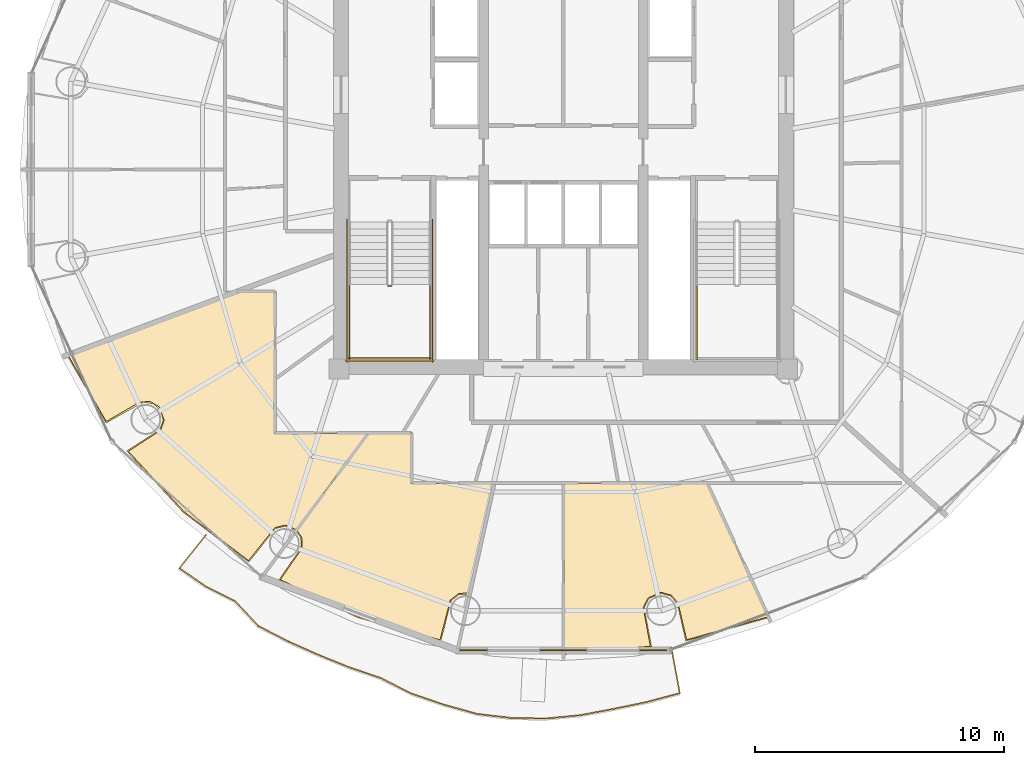
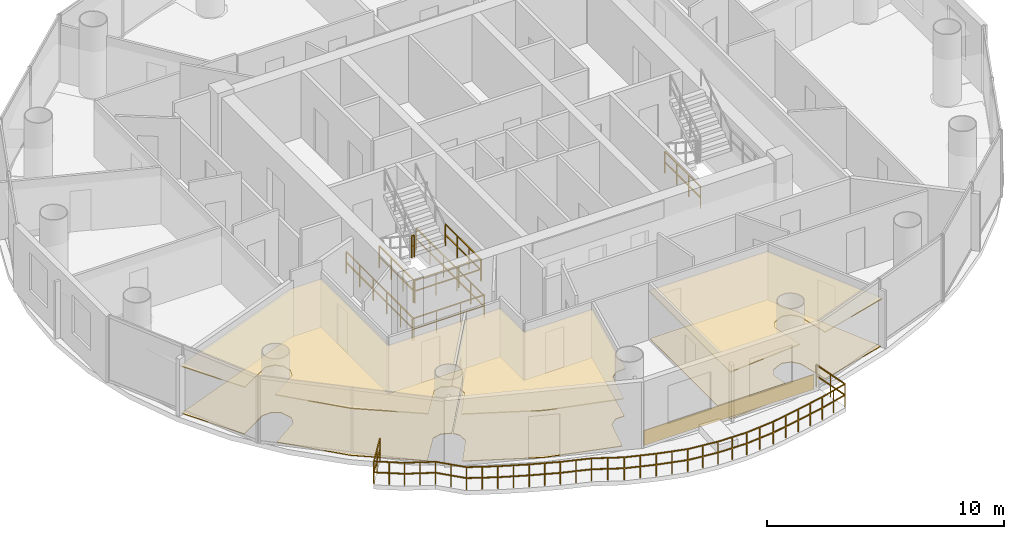
# One storey, part 24 of 26: 9 railings, 7 coverings.
"""IFC4 building model written with IfcOpenShell, lengths in metres."""

from ifc_helpers import new_model, si_unit, direction, frame, origin, origin_2d, place, context, subcontext, project, spatial, polyline, rectangle, outline, extrude, source, transform, mapped, material, layer, layer_set, type_object, element, save


model = new_model("IFC4")

# Units and contexts
model_context = context("Model", 3, precision=1e-05, world=origin(), true_north=direction((-0.2419218956, 0.970295726276)))
body_context = subcontext(model_context, "Body", "Model", "MODEL_VIEW")
ifc_project = project(units=[si_unit("LENGTHUNIT", "METRE"), si_unit("AREAUNIT", "SQUARE_METRE"), si_unit("VOLUMEUNIT", "CUBIC_METRE"), si_unit("PLANEANGLEUNIT", "RADIAN"), si_unit("MASSUNIT", "GRAM", prefix="KILO")], contexts=[model_context])

# Site, building, storey
site_placement = place(None, origin())
site = spatial("IfcSite", under=ifc_project, at=site_placement, CompositionType="ELEMENT")
building_placement = place(site_placement, origin())
building = spatial("IfcBuilding", under=site, at=building_placement, Name="Cobrevalo Terracotta Tower", CompositionType="ELEMENT")
storey_placement = place(building_placement, frame((0.0, 0.0, 202.300048828125)))
storey = spatial("IfcBuildingStorey", under=building, at=storey_placement, Name="L53", CompositionType="ELEMENT", Elevation=202.300048828125)

# Railing
ifc_material_1 = material(Name="Laminated structural glass and stainless steel", Category="steel")
railing_type_1 = type_object("IfcRailingType", Name="Balcony lobe structural glass & terracotta-cap balustrade 1180 mm", PredefinedType="BALUSTRADE", material=ifc_material_1)
railing_1_placement = place(storey_placement, frame((23.656982421875, 12.134765625, 0.0)))
element("IfcRailing", 1, at=railing_1_placement, inside=storey, type_object=railing_type_1, Name="L53 spiralling balcony lobe balustrade 2", PredefinedType="BALUSTRADE", context=body_context, shape_type="SweptSolid", body=[
    extrude(rectangle(XDim=0.048095703125, YDim=0.048095703125, at=origin_2d()), frame((0.0, 0.0, 1.15576171875), z_axis=(-0.624363560345, -0.781133883859, 0.0), x_axis=(0.781133883859, -0.624363560345, 0.0)), (0.0, 0.0, 1.0), 1.706787109375),
    extrude(rectangle(XDim=0.048095703125, YDim=0.048095703125, at=origin_2d()), frame((0.0, 0.0, 0.58984375), z_axis=(-0.624363560345, -0.781133883859, 0.0), x_axis=(0.781133883859, -0.624363560345, 0.0)), (0.0, 0.0, 1.0), 1.706787109375),
    extrude(rectangle(XDim=0.048095703125, YDim=0.048095703125, at=origin_2d()), frame((-1.065673828125, -1.333251953125, 1.15576171875), z_axis=(0.822022898693, -0.569454435425, 0.0), x_axis=(0.569454435425, 0.822022898693, 0.0)), (0.0, 0.0, 1.0), 1.298095703125),
    extrude(rectangle(XDim=0.048095703125, YDim=0.048095703125, at=origin_2d()), frame((-1.065673828125, -1.333251953125, 0.58984375), z_axis=(0.822022898693, -0.569454435425, 0.0), x_axis=(0.569454435425, 0.822022898693, 0.0)), (0.0, 0.0, 1.0), 1.298095703125),
    extrude(rectangle(XDim=0.048095703125, YDim=0.048095703125, at=origin_2d()), frame((0.00146484375, -2.072509765625, 1.15576171875), z_axis=(0.894576113251, -0.446915626937, 0.0), x_axis=(0.446915626937, 0.894576113251, 0.0)), (0.0, 0.0, 1.0), 1.31103515625),
    extrude(rectangle(XDim=0.048095703125, YDim=0.048095703125, at=origin_2d()), frame((0.00146484375, -2.072509765625, 0.58984375), z_axis=(0.894576113251, -0.446915626937, 0.0), x_axis=(0.446915626937, 0.894576113251, 0.0)), (0.0, 0.0, 1.0), 1.31103515625),
    extrude(rectangle(XDim=0.048095703125, YDim=0.048095703125, at=origin_2d()), frame((1.17431640625, -2.658447265625, 1.15576171875), z_axis=(0.683483074691, -0.729966359917, 0.0), x_axis=(0.729966359917, 0.683483074691, 0.0)), (0.0, 0.0, 1.0), 1.365478515625),
    extrude(rectangle(XDim=0.048095703125, YDim=0.048095703125, at=origin_2d()), frame((1.17431640625, -2.658447265625, 0.58984375), z_axis=(0.683483074691, -0.729966359917, 0.0), x_axis=(0.729966359917, 0.683483074691, 0.0)), (0.0, 0.0, 1.0), 1.365478515625),
    extrude(rectangle(XDim=0.048095703125, YDim=0.048095703125, at=origin_2d()), frame((2.107666015625, -3.6552734375, 1.15576171875), z_axis=(0.888831309904, -0.458234549695, 0.0), x_axis=(0.458234549695, 0.888831309904, 0.0)), (0.0, 0.0, 1.0), 1.324951171875),
    extrude(rectangle(XDim=0.048095703125, YDim=0.048095703125, at=origin_2d()), frame((2.107666015625, -3.6552734375, 0.58984375), z_axis=(0.888831309904, -0.458234549695, 0.0), x_axis=(0.458234549695, 0.888831309904, 0.0)), (0.0, 0.0, 1.0), 1.324951171875),
    extrude(rectangle(XDim=0.048095703125, YDim=0.048095703125, at=origin_2d()), frame((3.285400390625, -4.262451171875, 1.15576171875), z_axis=(0.913372789637, -0.407124240436, 0.0), x_axis=(0.407124240436, 0.913372789637, 0.0)), (0.0, 0.0, 1.0), 1.33251953125),
    extrude(rectangle(XDim=0.048095703125, YDim=0.048095703125, at=origin_2d()), frame((3.285400390625, -4.262451171875, 0.58984375), z_axis=(0.913372789637, -0.407124240436, 0.0), x_axis=(0.407124240436, 0.913372789637, 0.0)), (0.0, 0.0, 1.0), 1.33251953125),
    extrude(rectangle(XDim=0.048095703125, YDim=0.048095703125, at=origin_2d()), frame((4.50244140625, -4.804931640625, 1.15576171875), z_axis=(0.927106002762, -0.374799225776, 0.0), x_axis=(0.374799225776, 0.927106002762, 0.0)), (0.0, 0.0, 1.0), 1.332763671875),
    extrude(rectangle(XDim=0.048095703125, YDim=0.048095703125, at=origin_2d()), frame((4.50244140625, -4.804931640625, 0.58984375), z_axis=(0.927106002762, -0.374799225776, 0.0), x_axis=(0.374799225776, 0.927106002762, 0.0)), (0.0, 0.0, 1.0), 1.332763671875),
    extrude(rectangle(XDim=0.048095703125, YDim=0.048095703125, at=origin_2d()), frame((5.738037109375, -5.304443359375, 1.15576171875), z_axis=(0.946478628769, -0.322766487236, 0.0), x_axis=(0.322766487236, 0.946478628769, 0.0)), (0.0, 0.0, 1.0), 1.342529296875),
    extrude(rectangle(XDim=0.048095703125, YDim=0.048095703125, at=origin_2d()), frame((5.738037109375, -5.304443359375, 0.58984375), z_axis=(0.946478628769, -0.322766487236, 0.0), x_axis=(0.322766487236, 0.946478628769, 0.0)), (0.0, 0.0, 1.0), 1.342529296875),
    extrude(rectangle(XDim=0.048095703125, YDim=0.048095703125, at=origin_2d()), frame((7.0087890625, -5.73779296875, 1.15576171875), z_axis=(0.892183371129, -0.451673369019, 0.0), x_axis=(0.451673369019, 0.892183371129, 0.0)), (0.0, 0.0, 1.0), 1.377685546875),
    extrude(rectangle(XDim=0.048095703125, YDim=0.048095703125, at=origin_2d()), frame((7.0087890625, -5.73779296875, 0.58984375), z_axis=(0.892183371129, -0.451673369019, 0.0), x_axis=(0.451673369019, 0.892183371129, 0.0)), (0.0, 0.0, 1.0), 1.377685546875),
    extrude(rectangle(XDim=0.048095703125, YDim=0.048095703125, at=origin_2d()), frame((8.238037109375, -6.360107421875, 1.15576171875), z_axis=(0.946045344092, -0.324034268128, 0.0), x_axis=(0.324034268128, 0.946045344092, 0.0)), (0.0, 0.0, 1.0), 1.377197265625),
    extrude(rectangle(XDim=0.048095703125, YDim=0.048095703125, at=origin_2d()), frame((8.238037109375, -6.360107421875, 0.58984375), z_axis=(0.946045344092, -0.324034268128, 0.0), x_axis=(0.324034268128, 0.946045344092, 0.0)), (0.0, 0.0, 1.0), 1.377197265625),
    extrude(rectangle(XDim=0.048095703125, YDim=0.048095703125, at=origin_2d()), frame((9.541015625, -6.806396484375, 1.15576171875), z_axis=(0.963168710814, -0.268897814252, 0.0), x_axis=(0.268897814252, 0.963168710814, 0.0)), (0.0, 0.0, 1.0), 1.385498046875),
    extrude(rectangle(XDim=0.048095703125, YDim=0.048095703125, at=origin_2d()), frame((9.541015625, -6.806396484375, 0.58984375), z_axis=(0.963168710814, -0.268897814252, 0.0), x_axis=(0.268897814252, 0.963168710814, 0.0)), (0.0, 0.0, 1.0), 1.385498046875),
    extrude(rectangle(XDim=0.048095703125, YDim=0.048095703125, at=origin_2d()), frame((10.87548828125, -7.178955078125, 1.15576171875), z_axis=(0.992970983309, -0.118358042842, 0.0), x_axis=(0.118358042842, 0.992970983309, 0.0)), (0.0, 0.0, 1.0), 1.382080078125),
    extrude(rectangle(XDim=0.048095703125, YDim=0.048095703125, at=origin_2d()), frame((10.87548828125, -7.178955078125, 0.58984375), z_axis=(0.992970983309, -0.118358042842, 0.0), x_axis=(0.118358042842, 0.992970983309, 0.0)), (0.0, 0.0, 1.0), 1.382080078125),
    extrude(rectangle(XDim=0.048095703125, YDim=0.048095703125, at=origin_2d()), frame((12.247802734375, -7.342529296875, 1.15576171875), z_axis=(0.999850718633, -0.017278323122, 0.0), x_axis=(0.017278323122, 0.999850718633, 0.0)), (0.0, 0.0, 1.0), 1.384765625),
    extrude(rectangle(XDim=0.048095703125, YDim=0.048095703125, at=origin_2d()), frame((12.247802734375, -7.342529296875, 0.58984375), z_axis=(0.999850718633, -0.017278323122, 0.0), x_axis=(0.017278323122, 0.999850718633, 0.0)), (0.0, 0.0, 1.0), 1.384765625),
    extrude(rectangle(XDim=0.048095703125, YDim=0.048095703125, at=origin_2d()), frame((13.63232421875, -7.366455078125, 1.15576171875), z_axis=(0.995362016044, 0.096200088445, 0.0), x_axis=(-0.096200088445, 0.995362016044, 0.0)), (0.0, 0.0, 1.0), 1.383056640625),
    extrude(rectangle(XDim=0.048095703125, YDim=0.048095703125, at=origin_2d()), frame((13.63232421875, -7.366455078125, 0.58984375), z_axis=(0.995362016044, 0.096200088445, 0.0), x_axis=(-0.096200088445, 0.995362016044, 0.0)), (0.0, 0.0, 1.0), 1.383056640625),
    extrude(rectangle(XDim=0.048095703125, YDim=0.048095703125, at=origin_2d()), frame((15.009033203125, -7.2333984375, 1.15576171875), z_axis=(0.982647697479, 0.18548181215, 0.0), x_axis=(-0.18548181215, 0.982647697479, 0.0)), (0.0, 0.0, 1.0), 1.38330078125),
    extrude(rectangle(XDim=0.048095703125, YDim=0.048095703125, at=origin_2d()), frame((15.009033203125, -7.2333984375, 0.58984375), z_axis=(0.982647697479, 0.18548181215, 0.0), x_axis=(-0.18548181215, 0.982647697479, 0.0)), (0.0, 0.0, 1.0), 1.38330078125),
    extrude(rectangle(XDim=0.048095703125, YDim=0.048095703125, at=origin_2d()), frame((16.368408203125, -6.976806640625, 1.15576171875), z_axis=(0.97907544185, 0.203497614647, 0.0), x_axis=(-0.203497614647, 0.97907544185, 0.0)), (0.0, 0.0, 1.0), 1.366455078125),
    extrude(rectangle(XDim=0.048095703125, YDim=0.048095703125, at=origin_2d()), frame((16.368408203125, -6.976806640625, 0.58984375), z_axis=(0.97907544185, 0.203497614647, 0.0), x_axis=(-0.203497614647, 0.97907544185, 0.0)), (0.0, 0.0, 1.0), 1.366455078125),
    extrude(rectangle(XDim=0.048095703125, YDim=0.048095703125, at=origin_2d()), frame((17.706298828125, -6.69873046875, 1.15576171875), z_axis=(0.965789061486, 0.259328919934, 0.0), x_axis=(-0.259328919934, 0.965789061486, 0.0)), (0.0, 0.0, 1.0), 1.3583984375),
    extrude(rectangle(XDim=0.048095703125, YDim=0.048095703125, at=origin_2d()), frame((17.706298828125, -6.69873046875, 0.58984375), z_axis=(0.965789061486, 0.259328919934, 0.0), x_axis=(-0.259328919934, 0.965789061486, 0.0)), (0.0, 0.0, 1.0), 1.3583984375),
    extrude(rectangle(XDim=0.048095703125, YDim=0.048095703125, at=origin_2d()), frame((19.018310546875, -6.346435546875, 1.15576171875), z_axis=(-0.181687291126, 0.983356358724, 0.0), x_axis=(-0.983356358724, -0.181687291126, 0.0)), (0.0, 0.0, 1.0), 1.87060546875),
    extrude(rectangle(XDim=0.048095703125, YDim=0.048095703125, at=origin_2d()), frame((19.018310546875, -6.346435546875, 0.58984375), z_axis=(-0.181687291126, 0.983356358724, 0.0), x_axis=(-0.983356358724, -0.181687291126, 0.0)), (0.0, 0.0, 1.0), 1.87060546875),
    extrude(rectangle(XDim=0.0419921875, YDim=0.0419921875, at=origin_2d()), origin(), (0.0, 0.0, 1.0), 1.1318359375),
    extrude(rectangle(XDim=0.0419921875, YDim=0.0419921875, at=origin_2d()), frame((-0.53271484375, -0.66650390625, 0.0)), (0.0, 0.0, 1.0), 1.1318359375),
    extrude(rectangle(XDim=0.0419921875, YDim=0.0419921875, at=origin_2d()), frame((-1.065673828125, -1.333251953125, 0.0)), (0.0, 0.0, 1.0), 1.1318359375),
    extrude(rectangle(XDim=0.0419921875, YDim=0.0419921875, at=origin_2d()), frame((-0.5322265625, -1.702880859375, 0.0)), (0.0, 0.0, 1.0), 1.1318359375),
    extrude(rectangle(XDim=0.0419921875, YDim=0.0419921875, at=origin_2d()), frame((0.00146484375, -2.072509765625, 0.0)), (0.0, 0.0, 1.0), 1.1318359375),
    extrude(rectangle(XDim=0.0419921875, YDim=0.0419921875, at=origin_2d()), frame((0.587890625, -2.365478515625, 0.0)), (0.0, 0.0, 1.0), 1.1318359375),
    extrude(rectangle(XDim=0.0419921875, YDim=0.0419921875, at=origin_2d()), frame((1.17431640625, -2.658447265625, 0.0)), (0.0, 0.0, 1.0), 1.1318359375),
    extrude(rectangle(XDim=0.0419921875, YDim=0.0419921875, at=origin_2d()), frame((1.64111328125, -3.15673828125, 0.0)), (0.0, 0.0, 1.0), 1.1318359375),
    extrude(rectangle(XDim=0.0419921875, YDim=0.0419921875, at=origin_2d()), frame((2.107666015625, -3.6552734375, 0.0)), (0.0, 0.0, 1.0), 1.1318359375),
    extrude(rectangle(XDim=0.0419921875, YDim=0.0419921875, at=origin_2d()), frame((2.696533203125, -3.958984375, 0.0)), (0.0, 0.0, 1.0), 1.1318359375),
    extrude(rectangle(XDim=0.0419921875, YDim=0.0419921875, at=origin_2d()), frame((3.285400390625, -4.262451171875, 0.0)), (0.0, 0.0, 1.0), 1.1318359375),
    extrude(rectangle(XDim=0.0419921875, YDim=0.0419921875, at=origin_2d()), frame((3.89404296875, -4.53369140625, 0.0)), (0.0, 0.0, 1.0), 1.1318359375),
    extrude(rectangle(XDim=0.0419921875, YDim=0.0419921875, at=origin_2d()), frame((4.50244140625, -4.804931640625, 0.0)), (0.0, 0.0, 1.0), 1.1318359375),
    extrude(rectangle(XDim=0.0419921875, YDim=0.0419921875, at=origin_2d()), frame((5.1201171875, -5.0546875, 0.0)), (0.0, 0.0, 1.0), 1.1318359375),
    extrude(rectangle(XDim=0.0419921875, YDim=0.0419921875, at=origin_2d()), frame((5.738037109375, -5.304443359375, 0.0)), (0.0, 0.0, 1.0), 1.1318359375),
    extrude(rectangle(XDim=0.0419921875, YDim=0.0419921875, at=origin_2d()), frame((6.37353515625, -5.52099609375, 0.0)), (0.0, 0.0, 1.0), 1.1318359375),
    extrude(rectangle(XDim=0.0419921875, YDim=0.0419921875, at=origin_2d()), frame((7.0087890625, -5.73779296875, 0.0)), (0.0, 0.0, 1.0), 1.1318359375),
    extrude(rectangle(XDim=0.0419921875, YDim=0.0419921875, at=origin_2d()), frame((7.62353515625, -6.048828125, 0.0)), (0.0, 0.0, 1.0), 1.1318359375),
    extrude(rectangle(XDim=0.0419921875, YDim=0.0419921875, at=origin_2d()), frame((8.238037109375, -6.360107421875, 0.0)), (0.0, 0.0, 1.0), 1.1318359375),
    extrude(rectangle(XDim=0.0419921875, YDim=0.0419921875, at=origin_2d()), frame((8.8896484375, -6.583251953125, 0.0)), (0.0, 0.0, 1.0), 1.1318359375),
    extrude(rectangle(XDim=0.0419921875, YDim=0.0419921875, at=origin_2d()), frame((9.541015625, -6.806396484375, 0.0)), (0.0, 0.0, 1.0), 1.1318359375),
    extrude(rectangle(XDim=0.0419921875, YDim=0.0419921875, at=origin_2d()), frame((10.208251953125, -6.99267578125, 0.0)), (0.0, 0.0, 1.0), 1.1318359375),
    extrude(rectangle(XDim=0.0419921875, YDim=0.0419921875, at=origin_2d()), frame((10.87548828125, -7.178955078125, 0.0)), (0.0, 0.0, 1.0), 1.1318359375),
    extrude(rectangle(XDim=0.0419921875, YDim=0.0419921875, at=origin_2d()), frame((11.5615234375, -7.2607421875, 0.0)), (0.0, 0.0, 1.0), 1.1318359375),
    extrude(rectangle(XDim=0.0419921875, YDim=0.0419921875, at=origin_2d()), frame((12.247802734375, -7.342529296875, 0.0)), (0.0, 0.0, 1.0), 1.1318359375),
    extrude(rectangle(XDim=0.0419921875, YDim=0.0419921875, at=origin_2d()), frame((12.93994140625, -7.3544921875, 0.0)), (0.0, 0.0, 1.0), 1.1318359375),
    extrude(rectangle(XDim=0.0419921875, YDim=0.0419921875, at=origin_2d()), frame((13.63232421875, -7.366455078125, 0.0)), (0.0, 0.0, 1.0), 1.1318359375),
    extrude(rectangle(XDim=0.0419921875, YDim=0.0419921875, at=origin_2d()), frame((14.32080078125, -7.2998046875, 0.0)), (0.0, 0.0, 1.0), 1.1318359375),
    extrude(rectangle(XDim=0.0419921875, YDim=0.0419921875, at=origin_2d()), frame((15.009033203125, -7.2333984375, 0.0)), (0.0, 0.0, 1.0), 1.1318359375),
    extrude(rectangle(XDim=0.0419921875, YDim=0.0419921875, at=origin_2d()), frame((15.688720703125, -7.10498046875, 0.0)), (0.0, 0.0, 1.0), 1.1318359375),
    extrude(rectangle(XDim=0.0419921875, YDim=0.0419921875, at=origin_2d()), frame((16.368408203125, -6.976806640625, 0.0)), (0.0, 0.0, 1.0), 1.1318359375),
    extrude(rectangle(XDim=0.0419921875, YDim=0.0419921875, at=origin_2d()), frame((17.037353515625, -6.837890625, 0.0)), (0.0, 0.0, 1.0), 1.1318359375),
    extrude(rectangle(XDim=0.0419921875, YDim=0.0419921875, at=origin_2d()), frame((17.706298828125, -6.69873046875, 0.0)), (0.0, 0.0, 1.0), 1.1318359375),
    extrude(rectangle(XDim=0.0419921875, YDim=0.0419921875, at=origin_2d()), frame((18.3623046875, -6.5224609375, 0.0)), (0.0, 0.0, 1.0), 1.1318359375),
    extrude(rectangle(XDim=0.0419921875, YDim=0.0419921875, at=origin_2d()), frame((19.018310546875, -6.346435546875, 0.0)), (0.0, 0.0, 1.0), 1.1318359375),
    extrude(rectangle(XDim=0.0419921875, YDim=0.0419921875, at=origin_2d()), frame((18.848388671875, -5.4267578125, 0.0)), (0.0, 0.0, 1.0), 1.1318359375),
    extrude(rectangle(XDim=0.0419921875, YDim=0.0419921875, at=origin_2d()), frame((18.678466796875, -4.507080078125, 0.0)), (0.0, 0.0, 1.0), 1.1318359375),
])

# Coverings
ifc_material_2 = material(Name="Engineered Brazilian hardwood flooring", Category="wood")
ifc_layer_1 = layer(ifc_material_2, 0.028076171875)
ifc_layer_set_1 = layer_set([ifc_layer_1], Name="Engineered Brazilian hardwood flooring")
covering_type_1 = type_object("IfcCoveringType", Name="Engineered Hardwood Suite Flooring 28", PredefinedType="FLOORING", material=ifc_layer_set_1)
covering_1_placement = place(storey_placement, origin())
element("IfcCovering", 2, at=covering_1_placement, inside=storey, type_object=covering_type_1, Name="Flat L53B Living and Dining Room floor finish", PredefinedType="FLOORING", context=body_context, shape_type="SweptSolid", body=[
    extrude(outline(polyline([(22.782470703125, 13.068603515625), (20.546875, 15.4912109375), (21.840087890625, 16.330810546875), (21.985107421875, 16.735107421875), (21.794677734375, 17.2685546875), (21.42626953125, 17.48974609375), (20.9970703125, 17.468994140625), (19.662109375, 16.6865234375), (18.132568359375, 19.342041015625), (24.912841796875, 21.8798828125), (26.4150390625, 21.8798828125), (26.4150390625, 16.215087890625), (30.1484375, 16.215087890625), (27.2890625, 12.34765625), (26.843505859375, 12.531005859375), (26.426513671875, 12.427734375), (25.3720703125, 11.108154296875), (22.782470703125, 13.068603515625)])), origin(), (0.0, 0.0, 1.0), 0.030029296875),
])
covering_2_placement = place(storey_placement, origin())
element("IfcCovering", 3, at=covering_2_placement, inside=storey, type_object=covering_type_1, Name="Flat L53B Master Bedroom floor finish", PredefinedType="FLOORING", context=body_context, shape_type="SweptSolid", body=[
    extrude(outline(polyline([(29.763916015625, 8.858642578125), (26.6455078125, 10.34033203125), (27.522705078125, 11.610107421875), (27.502685546875, 12.039306640625), (27.318603515625, 12.320556640625), (30.1982421875, 16.215087890625), (31.8798828125, 16.215087890625), (31.8798828125, 14.205078125), (35.207275390625, 14.205078125), (34.240234375, 9.812255859375), (33.801025390625, 9.78662109375), (33.462890625, 9.521484375), (33.0517578125, 7.93017578125), (29.763916015625, 8.858642578125)])), origin(), (0.0, 0.0, 1.0), 0.030029296875),
])
covering_3_placement = place(storey_placement, origin())
element("IfcCovering", 4, at=covering_3_placement, inside=storey, type_object=covering_type_1, Name="Flat L53B Principal Guest Bedroom floor finish", PredefinedType="FLOORING", context=body_context, shape_type="SweptSolid", body=[
    extrude(outline(polyline([(42.9482421875, 7.93017578125), (42.6083984375, 9.39501953125), (42.32861328125, 9.72119140625), (41.91455078125, 9.836669921875), (41.396240234375, 9.6083984375), (41.2021484375, 9.22509765625), (41.490234375, 7.66845703125), (38.02001953125, 7.381103515625), (38.02001953125, 14.205078125), (43.751220703125, 14.205078125), (46.2060546875, 8.849365234375), (42.9482421875, 7.93017578125)])), origin(), (0.0, 0.0, 1.0), 0.030029296875),
])
ifc_material_3 = material(Name="Acoustic perforated gypsum ceiling", Category="gypsum")
ifc_layer_2 = layer(ifc_material_3, 0.050048828125)
ifc_layer_set_2 = layer_set([ifc_layer_2], Name="Acoustic perforated gypsum ceiling")
covering_type_2 = type_object("IfcCoveringType", Name="Perforated Acoustic Gypsum Ceiling 50", PredefinedType="CEILING", material=ifc_layer_set_2)
covering_4_placement = place(storey_placement, frame((0.0, 0.0, 2.445068359375)))
element("IfcCovering", 5, at=covering_4_placement, inside=storey, type_object=covering_type_2, Name="Flat L53B Living and Dining Room acoustic ceiling", PredefinedType="CEILING", context=body_context, shape_type="SweptSolid", body=[
    extrude(outline(polyline([(22.752197265625, 13.03515625), (20.481201171875, 15.50439453125), (21.8037109375, 16.357666015625), (21.93994140625, 16.737548828125), (21.842041015625, 17.12890625), (21.54345703125, 17.39990234375), (21.144287109375, 17.45947265625), (19.650146484375, 16.626953125), (18.068115234375, 19.365966796875), (24.90478515625, 21.925048828125), (26.4599609375, 21.925048828125), (26.4599609375, 16.260009765625), (30.23779296875, 16.260009765625), (27.29541015625, 12.28076171875), (26.84130859375, 12.48583984375), (26.44970703125, 12.388916015625), (25.3837890625, 11.048583984375), (22.752197265625, 13.03515625)])), origin(), (0.0, 0.0, 1.0), 0.0498046875),
])
covering_5_placement = place(storey_placement, frame((0.0, 0.0, 2.445068359375)))
element("IfcCovering", 6, at=covering_5_placement, inside=storey, type_object=covering_type_2, Name="Flat L53B Master Bedroom acoustic ceiling", PredefinedType="CEILING", context=body_context, shape_type="SweptSolid", body=[
    extrude(outline(polyline([(29.748291015625, 8.81640625), (26.579833984375, 10.327392578125), (27.478759765625, 11.621337890625), (27.460205078125, 12.024169921875), (27.25830078125, 12.314697265625), (30.175537109375, 16.260009765625), (31.925048828125, 16.260009765625), (31.925048828125, 14.25), (35.26318359375, 14.25), (34.275146484375, 9.76123046875), (33.8173828125, 9.74462890625), (33.499755859375, 9.49560546875), (33.08642578125, 7.878173828125), (29.748291015625, 8.81640625)])), origin(), (0.0, 0.0, 1.0), 0.0498046875),
])
covering_6_placement = place(storey_placement, frame((0.0, 0.0, 2.445068359375)))
element("IfcCovering", 7, at=covering_6_placement, inside=storey, type_object=covering_type_2, Name="Flat L53B Principal Guest Bedroom acoustic ceiling", PredefinedType="CEILING", context=body_context, shape_type="SweptSolid", body=[
    extrude(outline(polyline([(42.91357421875, 7.878173828125), (42.56689453125, 9.376953125), (42.30419921875, 9.68310546875), (41.915771484375, 9.79150390625), (41.428955078125, 9.5771484375), (41.246826171875, 9.21728515625), (41.544189453125, 7.632568359375), (37.97509765625, 7.33349609375), (37.97509765625, 14.25), (43.780029296875, 14.25), (46.268310546875, 8.8212890625), (42.91357421875, 7.878173828125)])), origin(), (0.0, 0.0, 1.0), 0.0498046875),
])

# Railings
ifc_material_4 = material(Name="Painted galvanized steel", Category="steel")
railing_type_2 = type_object("IfcRailingType", Name="Stair Well Guard Balustrade 1150", PredefinedType="GUARDRAIL", material=ifc_material_4)
railing_2_placement = place(storey_placement, frame((30.97509765625, 22.1298828125, 1.849853515625)))
element("IfcRailing", 8, at=railing_2_placement, inside=storey, type_object=railing_type_2, Name="L53 ST-1 stair guard 2", PredefinedType="GUARDRAIL", context=body_context, shape_type="SweptSolid", body=[
    extrude(rectangle(XDim=0.048095703125, YDim=0.048095703125, at=origin_2d()), frame((0.0, 0.0, 1.1259765625), z_axis=(1.0, 0.0, 0.0), x_axis=(0.0, 1.0, 0.0)), (0.0, 0.0, 1.0), 0.119873046875),
    extrude(rectangle(XDim=0.048095703125, YDim=0.048095703125, at=origin_2d()), frame((0.0, 0.0, 0.574951171875), z_axis=(1.0, 0.0, 0.0), x_axis=(0.0, 1.0, 0.0)), (0.0, 0.0, 1.0), 0.119873046875),
    extrude(rectangle(XDim=0.0419921875, YDim=0.0419921875, at=origin_2d()), origin(), (0.0, 0.0, 1.0), 1.101806640625),
    extrude(rectangle(XDim=0.0419921875, YDim=0.0419921875, at=origin_2d()), frame((0.119873046875, 0.0, 0.0)), (0.0, 0.0, 1.0), 1.101806640625),
])
for number, where, name in (
    (9, (29.425048828125, 22.179931640625, 1.849853515625), "L53 ST-1 stair guard 3"),
    (10, (32.64501953125, 22.179931640625, 1.849853515625), "L53 ST-1 stair guard 4"),
):
    element("IfcRailing", number, at=place(storey_placement, frame(where)), inside=storey, type_object=railing_type_2, Name=name, PredefinedType="GUARDRAIL", context=body_context, shape_type="SweptSolid", body=[
        extrude(rectangle(XDim=0.048095703125, YDim=0.048095703125, at=origin_2d()), frame((0.0, 0.0, 1.1259765625), z_axis=(0.0, -1.0, 0.0), x_axis=(1.0, 0.0, 0.0)), (0.0, 0.0, 1.0), 3.0048828125),
        extrude(rectangle(XDim=0.048095703125, YDim=0.048095703125, at=origin_2d()), frame((0.0, 0.0, 0.574951171875), z_axis=(0.0, -1.0, 0.0), x_axis=(1.0, 0.0, 0.0)), (0.0, 0.0, 1.0), 3.0048828125),
        extrude(rectangle(XDim=0.0419921875, YDim=0.0419921875, at=origin_2d()), origin(), (0.0, 0.0, 1.0), 1.101806640625),
        extrude(rectangle(XDim=0.0419921875, YDim=0.0419921875, at=origin_2d()), frame((0.0, -1.001708984375, 0.0)), (0.0, 0.0, 1.0), 1.101806640625),
        extrude(rectangle(XDim=0.0419921875, YDim=0.0419921875, at=origin_2d()), frame((0.0, -2.003173828125, 0.0)), (0.0, 0.0, 1.0), 1.101806640625),
        extrude(rectangle(XDim=0.0419921875, YDim=0.0419921875, at=origin_2d()), frame((0.0, -3.0048828125, 0.0)), (0.0, 0.0, 1.0), 1.101806640625),
    ])
railing_3_placement = place(storey_placement, frame((29.375, 19.22509765625, 1.849853515625)))
element("IfcRailing", 11, at=railing_3_placement, inside=storey, type_object=railing_type_2, Name="L53 ST-1 stair guard 5", PredefinedType="GUARDRAIL", context=body_context, shape_type="SweptSolid", body=[
    extrude(rectangle(XDim=0.048095703125, YDim=0.048095703125, at=origin_2d()), frame((0.0, 0.0, 1.1259765625), z_axis=(1.0, 0.0, 0.0), x_axis=(0.0, 1.0, 0.0)), (0.0, 0.0, 1.0), 3.320068359375),
    extrude(rectangle(XDim=0.048095703125, YDim=0.048095703125, at=origin_2d()), frame((0.0, 0.0, 0.574951171875), z_axis=(1.0, 0.0, 0.0), x_axis=(0.0, 1.0, 0.0)), (0.0, 0.0, 1.0), 3.320068359375),
    extrude(rectangle(XDim=0.0419921875, YDim=0.0419921875, at=origin_2d()), origin(), (0.0, 0.0, 1.0), 1.101806640625),
    extrude(rectangle(XDim=0.0419921875, YDim=0.0419921875, at=origin_2d()), frame((1.106689453125, 0.0, 0.0)), (0.0, 0.0, 1.0), 1.101806640625),
    extrude(rectangle(XDim=0.0419921875, YDim=0.0419921875, at=origin_2d()), frame((2.21337890625, 0.0, 0.0)), (0.0, 0.0, 1.0), 1.101806640625),
    extrude(rectangle(XDim=0.0419921875, YDim=0.0419921875, at=origin_2d()), frame((3.320068359375, 0.0, 0.0)), (0.0, 0.0, 1.0), 1.101806640625),
])
for number, where, name in (
    (12, (29.324951171875, 24.800048828125, 0.0), "L53 ST-1 stair guard 10"),
    (13, (32.7451171875, 24.800048828125, 0.0), "L53 ST-1 stair guard 11"),
):
    element("IfcRailing", number, at=place(storey_placement, frame(where)), inside=storey, type_object=railing_type_2, Name=name, PredefinedType="GUARDRAIL", context=body_context, shape_type="SweptSolid", body=[
        extrude(rectangle(XDim=0.048095703125, YDim=0.048095703125, at=origin_2d()), frame((0.0, 0.0, 1.1259765625), z_axis=(0.0, -1.0, 0.0), x_axis=(1.0, 0.0, 0.0)), (0.0, 0.0, 1.0), 5.72509765625),
        extrude(rectangle(XDim=0.048095703125, YDim=0.048095703125, at=origin_2d()), frame((0.0, 0.0, 0.574951171875), z_axis=(0.0, -1.0, 0.0), x_axis=(1.0, 0.0, 0.0)), (0.0, 0.0, 1.0), 5.72509765625),
        extrude(rectangle(XDim=0.0419921875, YDim=0.0419921875, at=origin_2d()), origin(), (0.0, 0.0, 1.0), 1.101806640625),
        extrude(rectangle(XDim=0.0419921875, YDim=0.0419921875, at=origin_2d()), frame((0.0, -1.14501953125, 0.0)), (0.0, 0.0, 1.0), 1.101806640625),
        extrude(rectangle(XDim=0.0419921875, YDim=0.0419921875, at=origin_2d()), frame((0.0, -2.2900390625, 0.0)), (0.0, 0.0, 1.0), 1.101806640625),
        extrude(rectangle(XDim=0.0419921875, YDim=0.0419921875, at=origin_2d()), frame((0.0, -3.43505859375, 0.0)), (0.0, 0.0, 1.0), 1.101806640625),
        extrude(rectangle(XDim=0.0419921875, YDim=0.0419921875, at=origin_2d()), frame((0.0, -4.580078125, 0.0)), (0.0, 0.0, 1.0), 1.101806640625),
        extrude(rectangle(XDim=0.0419921875, YDim=0.0419921875, at=origin_2d()), frame((0.0, -5.72509765625, 0.0)), (0.0, 0.0, 1.0), 1.101806640625),
    ])
railing_4_placement = place(storey_placement, frame((29.27490234375, 19.125, 0.0)))
element("IfcRailing", 14, at=railing_4_placement, inside=storey, type_object=railing_type_2, Name="L53 ST-1 stair guard 12", PredefinedType="GUARDRAIL", context=body_context, shape_type="SweptSolid", body=[
    extrude(rectangle(XDim=0.048095703125, YDim=0.048095703125, at=origin_2d()), frame((0.0, 0.0, 1.1259765625), z_axis=(1.0, 0.0, 0.0), x_axis=(0.0, 1.0, 0.0)), (0.0, 0.0, 1.0), 3.52001953125),
    extrude(rectangle(XDim=0.048095703125, YDim=0.048095703125, at=origin_2d()), frame((0.0, 0.0, 0.574951171875), z_axis=(1.0, 0.0, 0.0), x_axis=(0.0, 1.0, 0.0)), (0.0, 0.0, 1.0), 3.52001953125),
    extrude(rectangle(XDim=0.0419921875, YDim=0.0419921875, at=origin_2d()), origin(), (0.0, 0.0, 1.0), 1.101806640625),
    extrude(rectangle(XDim=0.0419921875, YDim=0.0419921875, at=origin_2d()), frame((1.17333984375, 0.0, 0.0)), (0.0, 0.0, 1.0), 1.101806640625),
    extrude(rectangle(XDim=0.0419921875, YDim=0.0419921875, at=origin_2d()), frame((2.3466796875, 0.0, 0.0)), (0.0, 0.0, 1.0), 1.101806640625),
    extrude(rectangle(XDim=0.0419921875, YDim=0.0419921875, at=origin_2d()), frame((3.52001953125, 0.0, 0.0)), (0.0, 0.0, 1.0), 1.101806640625),
])
railing_5_placement = place(storey_placement, frame((43.35498046875, 22.179931640625, 1.849853515625)))
element("IfcRailing", 15, at=railing_5_placement, inside=storey, type_object=railing_type_2, Name="L53 ST-2 stair guard 3", PredefinedType="GUARDRAIL", context=body_context, shape_type="SweptSolid", body=[
    extrude(rectangle(XDim=0.048095703125, YDim=0.048095703125, at=origin_2d()), frame((0.0, 0.0, 1.1259765625), z_axis=(0.0, -1.0, 0.0), x_axis=(1.0, 0.0, 0.0)), (0.0, 0.0, 1.0), 3.0048828125),
    extrude(rectangle(XDim=0.048095703125, YDim=0.048095703125, at=origin_2d()), frame((0.0, 0.0, 0.574951171875), z_axis=(0.0, -1.0, 0.0), x_axis=(1.0, 0.0, 0.0)), (0.0, 0.0, 1.0), 3.0048828125),
    extrude(rectangle(XDim=0.0419921875, YDim=0.0419921875, at=origin_2d()), origin(), (0.0, 0.0, 1.0), 1.101806640625),
    extrude(rectangle(XDim=0.0419921875, YDim=0.0419921875, at=origin_2d()), frame((0.0, -1.001708984375, 0.0)), (0.0, 0.0, 1.0), 1.101806640625),
    extrude(rectangle(XDim=0.0419921875, YDim=0.0419921875, at=origin_2d()), frame((0.0, -2.003173828125, 0.0)), (0.0, 0.0, 1.0), 1.101806640625),
    extrude(rectangle(XDim=0.0419921875, YDim=0.0419921875, at=origin_2d()), frame((0.0, -3.0048828125, 0.0)), (0.0, 0.0, 1.0), 1.101806640625),
])

# Covering
ifc_material_5 = material(Name="Glazed terracotta facade cladding tile", Category="masonry")
ifc_layer_3 = layer(ifc_material_5, 0.044921875)
ifc_layer_set_3 = layer_set([ifc_layer_3], Name="Glazed terracotta facade cladding tile")
covering_type_3 = type_object("IfcCoveringType", Name="Architectural terracotta rainscreen spandrel cladding 45 mm", PredefinedType="CLADDING", material=ifc_layer_set_3)
shared_shape = source(origin(), body_context, "Body", "SweptSolid", [
    extrude(rectangle(XDim=8.294189453125, YDim=0.044921875, at=origin_2d()), origin(), (0.0, 0.0, 1.0), 0.760009765625),
])
covering_7_placement = place(storey_placement, frame((38.0, 7.508056640625, 0.0400390625), z_axis=(0.0, 0.0, 1.0), x_axis=(1.0, 0.0, 0.0)))
element("IfcCovering", 16, at=covering_7_placement, inside=storey, type_object=covering_type_3, Name="L53 terracotta spandrel cladding S12", PredefinedType="CLADDING", context=body_context, shape_type="MappedRepresentation", body=[
    mapped(shared_shape, transform((0.0, 0.0, 0.0), scale=1.0)),
])

save(model, "model.ifc")
